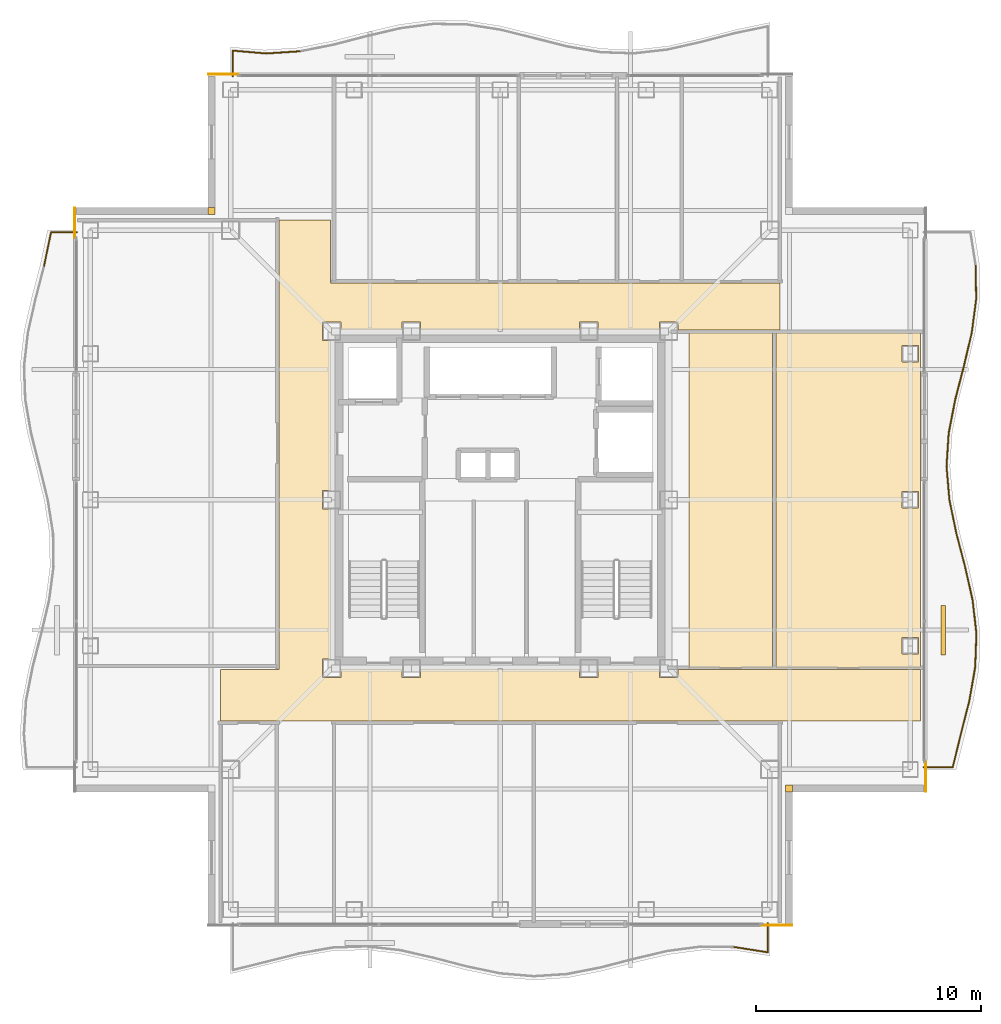
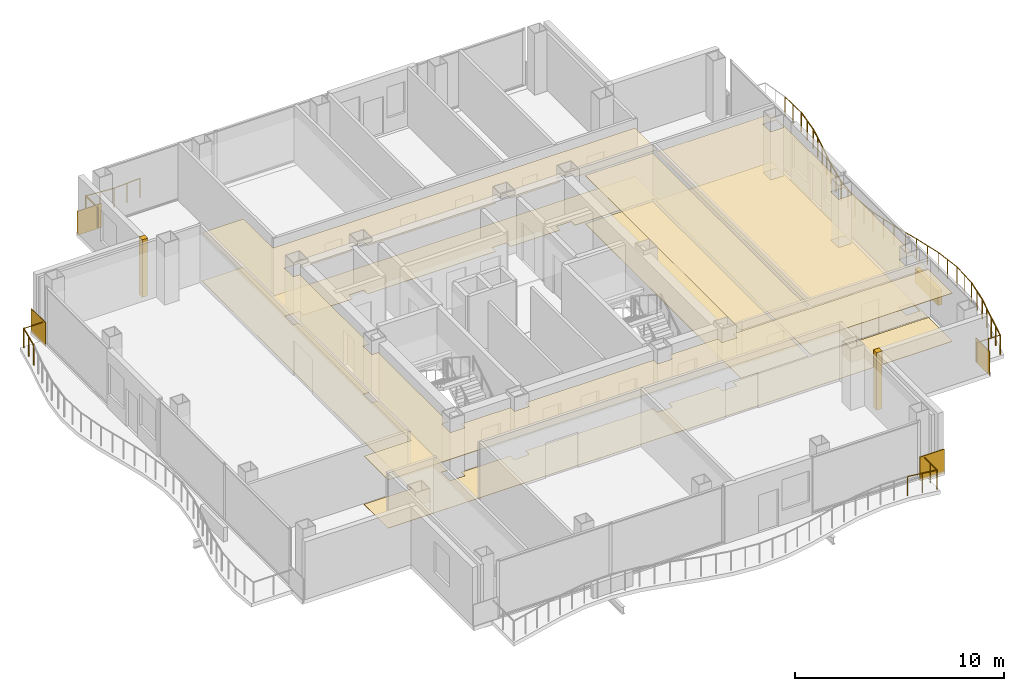
# One storey, part 16 of 17: 23 railings, 12 coverings, 1 shading device.
"""IFC4 building model written with IfcOpenShell, lengths in metres."""

from ifc_helpers import new_model, si_unit, direction, frame, frame_2d, origin, origin_2d, place, context, subcontext, project, spatial, polyline, rectangle, circle, outline, extrude, material, layer, layer_set, type_object, element, save


model = new_model("IFC4")

# Units and contexts
model_context = context("Model", 3, precision=1e-05, world=origin(), true_north=direction((0.0, 1.0)))
body_context = subcontext(model_context, "Body", "Model", "MODEL_VIEW")
ifc_project = project(units=[si_unit("LENGTHUNIT", "METRE"), si_unit("AREAUNIT", "SQUARE_METRE"), si_unit("VOLUMEUNIT", "CUBIC_METRE"), si_unit("PLANEANGLEUNIT", "RADIAN"), si_unit("MASSUNIT", "GRAM", prefix="KILO")], contexts=[model_context])

# Site, building, storey
site_placement = place(None, origin())
site = spatial("IfcSite", under=ifc_project, at=site_placement, CompositionType="ELEMENT")
building_placement = place(site_placement, origin())
building = spatial("IfcBuilding", under=site, at=building_placement, Name="Trevonay Congress Spire", CompositionType="ELEMENT")
storey_placement = place(building_placement, frame((0.0, 0.0, 264.800048828125)))
storey = spatial("IfcBuildingStorey", under=building, at=storey_placement, Name="L69", CompositionType="ELEMENT", Elevation=264.800048828125)

# Coverings
ifc_material_1 = material(Name="Acoustic Mineral Fibre Board", Category="gypsum")
ifc_layer_1 = layer(ifc_material_1, 0.02490234375, Name="Acoustic Mineral Fibre Board")
ifc_layer_set_1 = layer_set([ifc_layer_1], Name="Acoustic Mineral Fibre Board")
covering_type_1 = type_object("IfcCoveringType", Name="COV-CEIL-ACOUSTIC", PredefinedType="CEILING", material=ifc_layer_set_1)
covering_1_placement = place(storey_placement, frame((0.0, 0.0, 2.81005859375)))
element("IfcCovering", 1, at=covering_1_placement, inside=storey, type_object=covering_type_1, Name="L69 Cruciform Boulevard Corridor acoustic suspended ceiling", PredefinedType="CEILING", context=body_context, shape_type="SweptSolid", body=[
    extrude(outline(polyline([(18.699951171875, -7.550048828125), (18.699951171875, -9.85009765625), (-12.449951171875, -9.85009765625), (-12.449951171875, -7.550048828125), (-9.85009765625, -7.550048828125), (-9.85009765625, 12.449951171875), (-7.550048828125, 12.449951171875), (-7.550048828125, 9.64990234375), (12.449951171875, 9.64990234375), (12.449951171875, 7.550048828125), (7.909912109375, 7.550048828125), (7.909912109375, 7.909912109375), (7.090087890625, 7.909912109375), (7.090087890625, 7.550048828125), (4.360107421875, 7.550048828125), (4.360107421875, 7.909912109375), (3.5400390625, 7.909912109375), (3.5400390625, 7.550048828125), (-3.5400390625, 7.550048828125), (-3.5400390625, 7.909912109375), (-4.360107421875, 7.909912109375), (-4.360107421875, 7.550048828125), (-7.090087890625, 7.550048828125), (-7.090087890625, 7.909912109375), (-7.909912109375, 7.909912109375), (-7.909912109375, 7.090087890625), (-7.550048828125, 7.090087890625), (-7.550048828125, 0.409912109375), (-7.909912109375, 0.409912109375), (-7.909912109375, -0.409912109375), (-7.550048828125, -0.409912109375), (-7.550048828125, -7.090087890625), (-7.909912109375, -7.090087890625), (-7.909912109375, -7.909912109375), (-7.090087890625, -7.909912109375), (-7.090087890625, -7.550048828125), (-4.360107421875, -7.550048828125), (-4.360107421875, -7.909912109375), (-3.5400390625, -7.909912109375), (-3.5400390625, -7.550048828125), (3.5400390625, -7.550048828125), (3.5400390625, -7.909912109375), (4.360107421875, -7.909912109375), (4.360107421875, -7.550048828125), (7.090087890625, -7.550048828125), (7.090087890625, -7.909912109375), (7.909912109375, -7.909912109375), (7.909912109375, -7.550048828125), (18.699951171875, -7.550048828125)])), origin(), (0.0, 0.0, 1.0), 0.02490234375),
])
covering_2_placement = place(storey_placement, frame((0.0, 0.0, 2.81005859375)))
element("IfcCovering", 2, at=covering_2_placement, inside=storey, type_object=covering_type_1, Name="L69 Executive Study Office acoustic suspended ceiling", PredefinedType="CEILING", context=body_context, shape_type="SweptSolid", body=[
    extrude(outline(polyline([(8.39990234375, -7.47998046875), (12.1201171875, -7.47998046875), (12.1201171875, 7.419921875), (8.39990234375, 7.419921875), (8.39990234375, -7.47998046875)])), origin(), (0.0, 0.0, 1.0), 0.02490234375),
])
covering_3_placement = place(storey_placement, frame((0.0, 0.0, 2.81005859375)))
element("IfcCovering", 3, at=covering_3_placement, inside=storey, type_object=covering_type_1, Name="L69 Catering Pantry acoustic suspended ceiling", PredefinedType="CEILING", context=body_context, shape_type="SweptSolid", body=[
    extrude(outline(polyline([(12.280029296875, 7.419921875), (18.699951171875, 7.419921875), (18.699951171875, -7.47998046875), (12.280029296875, -7.47998046875), (12.280029296875, 7.419921875)]), holes=[polyline([(17.889892578125, -6.860107421875), (18.610107421875, -6.860107421875), (18.610107421875, -6.139892578125), (17.889892578125, -6.139892578125), (17.889892578125, -6.860107421875)]), polyline([(17.889892578125, 0.360107421875), (17.889892578125, -0.360107421875), (18.610107421875, -0.360107421875), (18.610107421875, 0.360107421875), (17.889892578125, 0.360107421875)]), polyline([(17.889892578125, 6.860107421875), (17.889892578125, 6.139892578125), (18.610107421875, 6.139892578125), (18.610107421875, 6.860107421875), (17.889892578125, 6.860107421875)])]), origin(), (0.0, 0.0, 1.0), 0.02490234375),
])
ifc_material_2 = material(Name="Polished Granite Floor Tile", Category="masonry")
ifc_layer_2 = layer(ifc_material_2, 0.02001953125, Name="Polished Granite Floor Tile")
ifc_layer_set_2 = layer_set([ifc_layer_2], Name="Polished Granite Floor Tile")
covering_type_2 = type_object("IfcCoveringType", Name="COV-FLOOR-STONE", PredefinedType="FLOORING", material=ifc_layer_set_2)
covering_4_placement = place(storey_placement, origin())
element("IfcCovering", 4, at=covering_4_placement, inside=storey, type_object=covering_type_2, Name="L69 Cruciform Boulevard Corridor floor finish", PredefinedType="FLOORING", context=body_context, shape_type="SweptSolid", body=[
    extrude(outline(polyline([(18.699951171875, -7.550048828125), (18.699951171875, -9.85009765625), (-12.449951171875, -9.85009765625), (-12.449951171875, -7.550048828125), (-9.85009765625, -7.550048828125), (-9.85009765625, 12.449951171875), (-7.550048828125, 12.449951171875), (-7.550048828125, 9.64990234375), (12.449951171875, 9.64990234375), (12.449951171875, 7.550048828125), (7.909912109375, 7.550048828125), (7.909912109375, 7.909912109375), (7.090087890625, 7.909912109375), (7.090087890625, 7.550048828125), (4.360107421875, 7.550048828125), (4.360107421875, 7.909912109375), (3.5400390625, 7.909912109375), (3.5400390625, 7.550048828125), (-3.5400390625, 7.550048828125), (-3.5400390625, 7.909912109375), (-4.360107421875, 7.909912109375), (-4.360107421875, 7.550048828125), (-7.090087890625, 7.550048828125), (-7.090087890625, 7.909912109375), (-7.909912109375, 7.909912109375), (-7.909912109375, 7.090087890625), (-7.550048828125, 7.090087890625), (-7.550048828125, 0.409912109375), (-7.909912109375, 0.409912109375), (-7.909912109375, -0.409912109375), (-7.550048828125, -0.409912109375), (-7.550048828125, -7.090087890625), (-7.909912109375, -7.090087890625), (-7.909912109375, -7.909912109375), (-7.090087890625, -7.909912109375), (-7.090087890625, -7.550048828125), (-4.360107421875, -7.550048828125), (-4.360107421875, -7.909912109375), (-3.5400390625, -7.909912109375), (-3.5400390625, -7.550048828125), (3.5400390625, -7.550048828125), (3.5400390625, -7.909912109375), (4.360107421875, -7.909912109375), (4.360107421875, -7.550048828125), (7.090087890625, -7.550048828125), (7.090087890625, -7.909912109375), (7.909912109375, -7.909912109375), (7.909912109375, -7.550048828125), (18.699951171875, -7.550048828125)])), origin(), (0.0, 0.0, 1.0), 0.02001953125),
])
covering_5_placement = place(storey_placement, origin())
element("IfcCovering", 5, at=covering_5_placement, inside=storey, type_object=covering_type_2, Name="L69 Catering Pantry floor finish", PredefinedType="FLOORING", context=body_context, shape_type="SweptSolid", body=[
    extrude(outline(polyline([(12.280029296875, 7.419921875), (18.699951171875, 7.419921875), (18.699951171875, -7.47998046875), (12.280029296875, -7.47998046875), (12.280029296875, 7.419921875)]), holes=[polyline([(17.889892578125, -6.860107421875), (18.610107421875, -6.860107421875), (18.610107421875, -6.139892578125), (17.889892578125, -6.139892578125), (17.889892578125, -6.860107421875)]), polyline([(17.889892578125, 0.360107421875), (17.889892578125, -0.360107421875), (18.610107421875, -0.360107421875), (18.610107421875, 0.360107421875), (17.889892578125, 0.360107421875)]), polyline([(17.889892578125, 6.860107421875), (17.889892578125, 6.139892578125), (18.610107421875, 6.139892578125), (18.610107421875, 6.860107421875), (17.889892578125, 6.860107421875)])]), origin(), (0.0, 0.0, 1.0), 0.02001953125),
])
ifc_material_3 = material(Name="Engineered Oak Flooring", Category="wood")
ifc_layer_3 = layer(ifc_material_3, 0.01806640625, Name="Engineered Oak Flooring")
ifc_layer_set_3 = layer_set([ifc_layer_3], Name="Engineered Oak Flooring")
covering_type_3 = type_object("IfcCoveringType", Name="COV-FLOOR-TIMBER", PredefinedType="FLOORING", material=ifc_layer_set_3)
covering_6_placement = place(storey_placement, origin())
element("IfcCovering", 6, at=covering_6_placement, inside=storey, type_object=covering_type_3, Name="L69 Executive Study Office floor finish", PredefinedType="FLOORING", context=body_context, shape_type="SweptSolid", body=[
    extrude(outline(polyline([(8.39990234375, -7.47998046875), (12.1201171875, -7.47998046875), (12.1201171875, 7.419921875), (8.39990234375, 7.419921875), (8.39990234375, -7.47998046875)])), origin(), (0.0, 0.0, 1.0), 0.01806640625),
])
ifc_material_4 = material(Name="Pale Anodised Aluminium EN AW-6063-T6", Category="aluminium")
ifc_layer_4 = layer(ifc_material_4, 0.0400390625, Name="Pale Anodised Aluminium EN AW-6063-T6")
ifc_layer_set_4 = layer_set([ifc_layer_4], Name="Pale Anodised Aluminium EN AW-6063-T6")
covering_type_4 = type_object("IfcCoveringType", Name="COV-SPANDREL-PALE-METAL", PredefinedType="CLADDING", material=ifc_layer_set_4)
covering_7_placement = place(storey_placement, origin())
element("IfcCovering", 7, at=covering_7_placement, inside=storey, type_object=covering_type_4, Name="L69 SE re-entrant notch corner closure trim", PredefinedType="CLADDING", context=body_context, shape_type="SweptSolid", body=[
    extrude(outline(polyline([(12.699951171875, -13.0), (13.0, -13.0), (13.0, -12.699951171875), (12.699951171875, -12.699951171875), (12.699951171875, -13.0)])), origin(), (0.0, 0.0, 1.0), 3.35986328125),
])
for number, where, z_axis, x_axis, name in (
    (8, (18.93994140625, -11.64990234375, -0.150146484375), (0.0, 0.0, 1.0), (0.0, -1.0, 0.0), "L69 SE corner pier spandrel cladding 1"),
    (9, (11.64990234375, -18.93994140625, -0.150146484375), (0.0, 0.0, 1.0), (1.0, 0.0, 0.0), "L69 SE corner pier spandrel cladding 2"),
):
    element("IfcCovering", number, at=place(storey_placement, frame(where, z_axis=z_axis, x_axis=x_axis)), inside=storey, type_object=covering_type_4, Name=name, PredefinedType="CLADDING", context=body_context, shape_type="SweptSolid", body=[
        extrude(rectangle(XDim=1.35009765625, YDim=0.0400390625, at=frame_2d((0.675048828125, 0.0))), origin(), (0.0, 0.0, 1.0), 1.400146484375),
    ])
covering_8_placement = place(storey_placement, origin())
element("IfcCovering", 10, at=covering_8_placement, inside=storey, type_object=covering_type_4, Name="L69 NW re-entrant notch corner closure trim", PredefinedType="CLADDING", context=body_context, shape_type="SweptSolid", body=[
    extrude(outline(polyline([(-13.0, 12.699951171875), (-12.699951171875, 12.699951171875), (-12.699951171875, 13.0), (-13.0, 13.0), (-13.0, 12.699951171875)])), origin(), (0.0, 0.0, 1.0), 3.35986328125),
])
for number, where, z_axis, x_axis, name in (
    (11, (-18.93994140625, 11.64990234375, -0.150146484375), (0.0, 0.0, 1.0), (0.0, 1.0, 0.0), "L69 NW corner pier spandrel cladding 1"),
    (12, (-11.64990234375, 18.93994140625, -0.150146484375), (0.0, 0.0, 1.0), (-1.0, 0.0, 0.0), "L69 NW corner pier spandrel cladding 2"),
):
    element("IfcCovering", number, at=place(storey_placement, frame(where, z_axis=z_axis, x_axis=x_axis)), inside=storey, type_object=covering_type_4, Name=name, PredefinedType="CLADDING", context=body_context, shape_type="SweptSolid", body=[
        extrude(rectangle(XDim=1.35009765625, YDim=0.0400390625, at=frame_2d((0.675048828125, 0.0))), origin(), (0.0, 0.0, 1.0), 1.400146484375),
    ])

# Railings
railing_type = type_object("IfcRailingType", Name="RAL-EXT-GUARD-115", PredefinedType="GUARDRAIL", material=ifc_material_4)
railing_1_placement = place(storey_placement, frame((10.416015625, -19.906005859375, 0.0)))
element("IfcRailing", 13, at=railing_1_placement, inside=storey, type_object=railing_type, Name="L69 perimeter safety guard GRD-L69-WAV-S-16", PredefinedType="GUARDRAIL", context=body_context, shape_type="SweptSolid", body=[
    extrude(circle(Radius=0.02392578125, at=origin_2d()), frame((0.0, 0.0, 1.1259765625), z_axis=(0.987747192417, -0.156062435816, 0.0), x_axis=(0.156062435816, 0.987747192417, 0.0)), (0.0, 0.0, 1.0), 1.506591796875),
    extrude(circle(Radius=0.02099609375, at=origin_2d()), origin(), (0.0, 0.0, 1.0), 1.101806640625),
    extrude(circle(Radius=0.02099609375, at=origin_2d()), frame((0.744140625, -0.11767578125, 0.0)), (0.0, 0.0, 1.0), 1.101806640625),
    extrude(circle(Radius=0.02099609375, at=origin_2d()), frame((1.488037109375, -0.235107421875, 0.0)), (0.0, 0.0, 1.0), 1.101806640625),
])
railing_2_placement = place(storey_placement, frame((11.904052734375, -20.14111328125, 0.0)))
element("IfcRailing", 14, at=railing_2_placement, inside=storey, type_object=railing_type, Name="L69 perimeter safety guard GRD-L69-WAV-S-17", PredefinedType="GUARDRAIL", context=body_context, shape_type="SweptSolid", body=[
    extrude(circle(Radius=0.02392578125, at=origin_2d()), frame((0.0, 0.0, 1.1259765625), z_axis=(0.0, 1.0, 0.0), x_axis=(-1.0, 0.0, 0.0)), (0.0, 0.0, 1.0), 1.293212890625),
    extrude(circle(Radius=0.02099609375, at=origin_2d()), origin(), (0.0, 0.0, 1.0), 1.101806640625),
    extrude(circle(Radius=0.02099609375, at=origin_2d()), frame((0.0, 0.646484375, 0.0)), (0.0, 0.0, 1.0), 1.101806640625),
    extrude(circle(Radius=0.02099609375, at=origin_2d()), frame((0.0, 1.293212890625, 0.0)), (0.0, 0.0, 1.0), 1.101806640625),
])
railing_3_placement = place(storey_placement, frame((-8.927978515625, 19.962890625, 0.0)))
element("IfcRailing", 15, at=railing_3_placement, inside=storey, type_object=railing_type, Name="L69 perimeter safety guard GRD-L69-WAV-N-32", PredefinedType="GUARDRAIL", context=body_context, shape_type="SweptSolid", body=[
    extrude(circle(Radius=0.02392578125, at=origin_2d()), frame((0.0, 0.0, 1.1259765625), z_axis=(-0.997885418785, -0.064997622848, 0.0), x_axis=(0.064997622848, -0.997885418785, 0.0)), (0.0, 0.0, 1.0), 1.4912109375),
    extrude(circle(Radius=0.02099609375, at=origin_2d()), origin(), (0.0, 0.0, 1.0), 1.101806640625),
    extrude(circle(Radius=0.02099609375, at=origin_2d()), frame((-0.744140625, -0.04833984375, 0.0)), (0.0, 0.0, 1.0), 1.101806640625),
    extrude(circle(Radius=0.02099609375, at=origin_2d()), frame((-1.488037109375, -0.096923828125, 0.0)), (0.0, 0.0, 1.0), 1.101806640625),
])
railing_4_placement = place(storey_placement, frame((-10.416015625, 19.865966796875, 0.0)))
element("IfcRailing", 16, at=railing_4_placement, inside=storey, type_object=railing_type, Name="L69 perimeter safety guard GRD-L69-WAV-N-33", PredefinedType="GUARDRAIL", context=body_context, shape_type="SweptSolid", body=[
    extrude(circle(Radius=0.02392578125, at=origin_2d()), frame((0.0, 0.0, 1.1259765625), z_axis=(-0.996380352402, 0.085007019401, 0.0), x_axis=(-0.085007019401, -0.996380352402, 0.0)), (0.0, 0.0, 1.0), 1.493408203125),
    extrude(circle(Radius=0.02099609375, at=origin_2d()), origin(), (0.0, 0.0, 1.0), 1.101806640625),
    extrude(circle(Radius=0.02099609375, at=origin_2d()), frame((-0.744140625, 0.0634765625, 0.0)), (0.0, 0.0, 1.0), 1.101806640625),
    extrude(circle(Radius=0.02099609375, at=origin_2d()), frame((-1.488037109375, 0.126953125, 0.0)), (0.0, 0.0, 1.0), 1.101806640625),
])
railing_5_placement = place(storey_placement, frame((-11.904052734375, 19.992919921875, 0.0)))
element("IfcRailing", 17, at=railing_5_placement, inside=storey, type_object=railing_type, Name="L69 perimeter safety guard GRD-L69-WAV-N-34", PredefinedType="GUARDRAIL", context=body_context, shape_type="SweptSolid", body=[
    extrude(circle(Radius=0.02392578125, at=origin_2d()), frame((0.0, 0.0, 1.1259765625), z_axis=(0.0, -1.0, 0.0), x_axis=(1.0, 0.0, 0.0)), (0.0, 0.0, 1.0), 1.14501953125),
    extrude(circle(Radius=0.02099609375, at=origin_2d()), origin(), (0.0, 0.0, 1.0), 1.101806640625),
    extrude(circle(Radius=0.02099609375, at=origin_2d()), frame((0.0, -1.14501953125, 0.0)), (0.0, 0.0, 1.0), 1.101806640625),
])
railing_6_placement = place(storey_placement, frame((20.14111328125, -11.904052734375, 0.0)))
element("IfcRailing", 18, at=railing_6_placement, inside=storey, type_object=railing_type, Name="L69 perimeter safety guard GRD-L69-WAV-E-1", PredefinedType="GUARDRAIL", context=body_context, shape_type="SweptSolid", body=[
    extrude(circle(Radius=0.02392578125, at=origin_2d()), frame((0.0, 0.0, 1.1259765625), z_axis=(0.23942340119, 0.970915256324, 0.0), x_axis=(-0.970915256324, 0.23942340119, 0.0)), (0.0, 0.0, 1.0), 1.53271484375),
    extrude(circle(Radius=0.02099609375, at=origin_2d()), origin(), (0.0, 0.0, 1.0), 1.101806640625),
    extrude(circle(Radius=0.02099609375, at=origin_2d()), frame((0.18359375, 0.744140625, 0.0)), (0.0, 0.0, 1.0), 1.101806640625),
    extrude(circle(Radius=0.02099609375, at=origin_2d()), frame((0.366943359375, 1.488037109375, 0.0)), (0.0, 0.0, 1.0), 1.101806640625),
])
railing_7_placement = place(storey_placement, frame((20.508056640625, -10.416015625, 0.0)))
element("IfcRailing", 19, at=railing_7_placement, inside=storey, type_object=railing_type, Name="L69 perimeter safety guard GRD-L69-WAV-E-2", PredefinedType="GUARDRAIL", context=body_context, shape_type="SweptSolid", body=[
    extrude(circle(Radius=0.02392578125, at=origin_2d()), frame((0.0, 0.0, 1.1259765625), z_axis=(0.245565653889, 0.969379961434, 0.0), x_axis=(-0.969379961434, 0.245565653889, 0.0)), (0.0, 0.0, 1.0), 1.53515625),
    extrude(circle(Radius=0.02099609375, at=origin_2d()), origin(), (0.0, 0.0, 1.0), 1.101806640625),
    extrude(circle(Radius=0.02099609375, at=origin_2d()), frame((0.1884765625, 0.744140625, 0.0)), (0.0, 0.0, 1.0), 1.101806640625),
    extrude(circle(Radius=0.02099609375, at=origin_2d()), frame((0.376953125, 1.488037109375, 0.0)), (0.0, 0.0, 1.0), 1.101806640625),
])
railing_8_placement = place(storey_placement, frame((20.885009765625, -8.927978515625, 0.0)))
element("IfcRailing", 20, at=railing_8_placement, inside=storey, type_object=railing_type, Name="L69 perimeter safety guard GRD-L69-WAV-E-3", PredefinedType="GUARDRAIL", context=body_context, shape_type="SweptSolid", body=[
    extrude(circle(Radius=0.02392578125, at=origin_2d()), frame((0.0, 0.0, 1.1259765625), z_axis=(0.170242575938, 0.985402184561, 0.0), x_axis=(-0.985402184561, 0.170242575938, 0.0)), (0.0, 0.0, 1.0), 1.510009765625),
    extrude(circle(Radius=0.02099609375, at=origin_2d()), origin(), (0.0, 0.0, 1.0), 1.101806640625),
    extrude(circle(Radius=0.02099609375, at=origin_2d()), frame((0.12841796875, 0.744140625, 0.0)), (0.0, 0.0, 1.0), 1.101806640625),
    extrude(circle(Radius=0.02099609375, at=origin_2d()), frame((0.257080078125, 1.488037109375, 0.0)), (0.0, 0.0, 1.0), 1.101806640625),
])
railing_9_placement = place(storey_placement, frame((21.14208984375, -7.43994140625, 0.0)))
element("IfcRailing", 21, at=railing_9_placement, inside=storey, type_object=railing_type, Name="L69 perimeter safety guard GRD-L69-WAV-E-4", PredefinedType="GUARDRAIL", context=body_context, shape_type="SweptSolid", body=[
    extrude(circle(Radius=0.02392578125, at=origin_2d()), frame((0.0, 0.0, 1.1259765625), z_axis=(0.036235416775, 0.999343281646, 0.0), x_axis=(-0.999343281646, 0.036235416775, 0.0)), (0.0, 0.0, 1.0), 1.489013671875),
    extrude(circle(Radius=0.02099609375, at=origin_2d()), origin(), (0.0, 0.0, 1.0), 1.101806640625),
    extrude(circle(Radius=0.02099609375, at=origin_2d()), frame((0.02685546875, 0.744140625, 0.0)), (0.0, 0.0, 1.0), 1.101806640625),
    extrude(circle(Radius=0.02099609375, at=origin_2d()), frame((0.053955078125, 1.488037109375, 0.0)), (0.0, 0.0, 1.0), 1.101806640625),
])
railing_10_placement = place(storey_placement, frame((21.196044921875, -5.951904296875, 0.0)))
element("IfcRailing", 22, at=railing_10_placement, inside=storey, type_object=railing_type, Name="L69 perimeter safety guard GRD-L69-WAV-E-5", PredefinedType="GUARDRAIL", context=body_context, shape_type="SweptSolid", body=[
    extrude(circle(Radius=0.02392578125, at=origin_2d()), frame((0.0, 0.0, 1.1259765625), z_axis=(-0.113633953252, 0.993522684526, 0.0), x_axis=(-0.993522684526, -0.113633953252, 0.0)), (0.0, 0.0, 1.0), 1.49755859375),
    extrude(circle(Radius=0.02099609375, at=origin_2d()), origin(), (0.0, 0.0, 1.0), 1.101806640625),
    extrude(circle(Radius=0.02099609375, at=origin_2d()), frame((-0.0849609375, 0.743896484375, 0.0)), (0.0, 0.0, 1.0), 1.101806640625),
    extrude(circle(Radius=0.02099609375, at=origin_2d()), frame((-0.170166015625, 1.48779296875, 0.0)), (0.0, 0.0, 1.0), 1.101806640625),
])
railing_11_placement = place(storey_placement, frame((21.02587890625, -4.464111328125, 0.0)))
element("IfcRailing", 23, at=railing_11_placement, inside=storey, type_object=railing_type, Name="L69 perimeter safety guard GRD-L69-WAV-E-6", PredefinedType="GUARDRAIL", context=body_context, shape_type="SweptSolid", body=[
    extrude(circle(Radius=0.02392578125, at=origin_2d()), frame((0.0, 0.0, 1.1259765625), z_axis=(-0.219607413418, 0.975588327099, 0.0), x_axis=(-0.975588327099, -0.219607413418, 0.0)), (0.0, 0.0, 1.0), 1.525390625),
    extrude(circle(Radius=0.02099609375, at=origin_2d()), origin(), (0.0, 0.0, 1.0), 1.101806640625),
    extrude(circle(Radius=0.02099609375, at=origin_2d()), frame((-0.16748046875, 0.744140625, 0.0)), (0.0, 0.0, 1.0), 1.101806640625),
    extrude(circle(Radius=0.02099609375, at=origin_2d()), frame((-0.3349609375, 1.488037109375, 0.0)), (0.0, 0.0, 1.0), 1.101806640625),
])
railing_12_placement = place(storey_placement, frame((20.69091796875, -2.97607421875, 0.0)))
element("IfcRailing", 24, at=railing_12_placement, inside=storey, type_object=railing_type, Name="L69 perimeter safety guard GRD-L69-WAV-E-7", PredefinedType="GUARDRAIL", context=body_context, shape_type="SweptSolid", body=[
    extrude(circle(Radius=0.02392578125, at=origin_2d()), frame((0.0, 0.0, 1.1259765625), z_axis=(-0.252867738167, 0.967500856327, 0.0), x_axis=(-0.967500856327, -0.252867738167, 0.0)), (0.0, 0.0, 1.0), 1.5380859375),
    extrude(circle(Radius=0.02099609375, at=origin_2d()), origin(), (0.0, 0.0, 1.0), 1.101806640625),
    extrude(circle(Radius=0.02099609375, at=origin_2d()), frame((-0.1943359375, 0.744140625, 0.0)), (0.0, 0.0, 1.0), 1.101806640625),
    extrude(circle(Radius=0.02099609375, at=origin_2d()), frame((-0.388916015625, 1.488037109375, 0.0)), (0.0, 0.0, 1.0), 1.101806640625),
])
railing_13_placement = place(storey_placement, frame((20.302001953125, -1.488037109375, 0.0)))
element("IfcRailing", 25, at=railing_13_placement, inside=storey, type_object=railing_type, Name="L69 perimeter safety guard GRD-L69-WAV-E-8", PredefinedType="GUARDRAIL", context=body_context, shape_type="SweptSolid", body=[
    extrude(circle(Radius=0.02392578125, at=origin_2d()), frame((0.0, 0.0, 1.1259765625), z_axis=(-0.203370460547, 0.979101861798, 0.0), x_axis=(-0.979101861798, -0.203370460547, 0.0)), (0.0, 0.0, 1.0), 1.519775390625),
    extrude(circle(Radius=0.02099609375, at=origin_2d()), origin(), (0.0, 0.0, 1.0), 1.101806640625),
    extrude(circle(Radius=0.02099609375, at=origin_2d()), frame((-0.154541015625, 0.744140625, 0.0)), (0.0, 0.0, 1.0), 1.101806640625),
    extrude(circle(Radius=0.02099609375, at=origin_2d()), frame((-0.30908203125, 1.488037109375, 0.0)), (0.0, 0.0, 1.0), 1.101806640625),
])
railing_14_placement = place(storey_placement, frame((19.992919921875, 0.0, 0.0)))
element("IfcRailing", 26, at=railing_14_placement, inside=storey, type_object=railing_type, Name="L69 perimeter safety guard GRD-L69-WAV-E-9", PredefinedType="GUARDRAIL", context=body_context, shape_type="SweptSolid", body=[
    extrude(circle(Radius=0.02392578125, at=origin_2d()), frame((0.0, 0.0, 1.1259765625), z_axis=(-0.085007019401, 0.996380352402, 0.0), x_axis=(-0.996380352402, -0.085007019401, 0.0)), (0.0, 0.0, 1.0), 1.493408203125),
    extrude(circle(Radius=0.02099609375, at=origin_2d()), origin(), (0.0, 0.0, 1.0), 1.101806640625),
    extrude(circle(Radius=0.02099609375, at=origin_2d()), frame((-0.0634765625, 0.744140625, 0.0)), (0.0, 0.0, 1.0), 1.101806640625),
    extrude(circle(Radius=0.02099609375, at=origin_2d()), frame((-0.126953125, 1.488037109375, 0.0)), (0.0, 0.0, 1.0), 1.101806640625),
])
railing_15_placement = place(storey_placement, frame((19.865966796875, 1.488037109375, 0.0)))
element("IfcRailing", 27, at=railing_15_placement, inside=storey, type_object=railing_type, Name="L69 perimeter safety guard GRD-L69-WAV-E-10", PredefinedType="GUARDRAIL", context=body_context, shape_type="SweptSolid", body=[
    extrude(circle(Radius=0.02392578125, at=origin_2d()), frame((0.0, 0.0, 1.1259765625), z_axis=(0.064997622848, 0.997885418785, 0.0), x_axis=(-0.997885418785, 0.064997622848, 0.0)), (0.0, 0.0, 1.0), 1.4912109375),
    extrude(circle(Radius=0.02099609375, at=origin_2d()), origin(), (0.0, 0.0, 1.0), 1.101806640625),
    extrude(circle(Radius=0.02099609375, at=origin_2d()), frame((0.04833984375, 0.744140625, 0.0)), (0.0, 0.0, 1.0), 1.101806640625),
    extrude(circle(Radius=0.02099609375, at=origin_2d()), frame((0.096923828125, 1.488037109375, 0.0)), (0.0, 0.0, 1.0), 1.101806640625),
])
railing_16_placement = place(storey_placement, frame((19.962890625, 2.97607421875, 0.0)))
element("IfcRailing", 28, at=railing_16_placement, inside=storey, type_object=railing_type, Name="L69 perimeter safety guard GRD-L69-WAV-E-11", PredefinedType="GUARDRAIL", context=body_context, shape_type="SweptSolid", body=[
    extrude(circle(Radius=0.02392578125, at=origin_2d()), frame((0.0, 0.0, 1.1259765625), z_axis=(0.191934064783, 0.981407822863, 0.0), x_axis=(-0.981407822863, 0.191934064783, 0.0)), (0.0, 0.0, 1.0), 1.51611328125),
    extrude(circle(Radius=0.02099609375, at=origin_2d()), origin(), (0.0, 0.0, 1.0), 1.101806640625),
    extrude(circle(Radius=0.02099609375, at=origin_2d()), frame((0.1455078125, 0.744140625, 0.0)), (0.0, 0.0, 1.0), 1.101806640625),
    extrude(circle(Radius=0.02099609375, at=origin_2d()), frame((0.291015625, 1.488037109375, 0.0)), (0.0, 0.0, 1.0), 1.101806640625),
])
railing_17_placement = place(storey_placement, frame((20.25390625, 4.464111328125, 0.0)))
element("IfcRailing", 29, at=railing_17_placement, inside=storey, type_object=railing_type, Name="L69 perimeter safety guard GRD-L69-WAV-E-12", PredefinedType="GUARDRAIL", context=body_context, shape_type="SweptSolid", body=[
    extrude(circle(Radius=0.02392578125, at=origin_2d()), frame((0.0, 0.0, 1.1259765625), z_axis=(0.251122013621, 0.967955440232, 0.0), x_axis=(-0.967955440232, 0.251122013621, 0.0)), (0.0, 0.0, 1.0), 1.537109375),
    extrude(circle(Radius=0.02099609375, at=origin_2d()), origin(), (0.0, 0.0, 1.0), 1.101806640625),
    extrude(circle(Radius=0.02099609375, at=origin_2d()), frame((0.19287109375, 0.743896484375, 0.0)), (0.0, 0.0, 1.0), 1.101806640625),
    extrude(circle(Radius=0.02099609375, at=origin_2d()), frame((0.385986328125, 1.48779296875, 0.0)), (0.0, 0.0, 1.0), 1.101806640625),
])
railing_18_placement = place(storey_placement, frame((20.639892578125, 5.951904296875, 0.0)))
element("IfcRailing", 30, at=railing_18_placement, inside=storey, type_object=railing_type, Name="L69 perimeter safety guard GRD-L69-WAV-E-13", PredefinedType="GUARDRAIL", context=body_context, shape_type="SweptSolid", body=[
    extrude(circle(Radius=0.02392578125, at=origin_2d()), frame((0.0, 0.0, 1.1259765625), z_axis=(0.228416072005, 0.973563607603, 0.0), x_axis=(-0.973563607603, 0.228416072005, 0.0)), (0.0, 0.0, 1.0), 1.528564453125),
    extrude(circle(Radius=0.02099609375, at=origin_2d()), origin(), (0.0, 0.0, 1.0), 1.101806640625),
    extrude(circle(Radius=0.02099609375, at=origin_2d()), frame((0.174560546875, 0.744140625, 0.0)), (0.0, 0.0, 1.0), 1.101806640625),
    extrude(circle(Radius=0.02099609375, at=origin_2d()), frame((0.34912109375, 1.488037109375, 0.0)), (0.0, 0.0, 1.0), 1.101806640625),
])
railing_19_placement = place(storey_placement, frame((20.989013671875, 7.43994140625, 0.0)))
element("IfcRailing", 31, at=railing_19_placement, inside=storey, type_object=railing_type, Name="L69 perimeter safety guard GRD-L69-WAV-E-14", PredefinedType="GUARDRAIL", context=body_context, shape_type="SweptSolid", body=[
    extrude(circle(Radius=0.02392578125, at=origin_2d()), frame((0.0, 0.0, 1.1259765625), z_axis=(0.130618613562, 0.991432689491, 0.0), x_axis=(-0.991432689491, 0.130618613562, 0.0)), (0.0, 0.0, 1.0), 1.5009765625),
    extrude(circle(Radius=0.02099609375, at=origin_2d()), origin(), (0.0, 0.0, 1.0), 1.101806640625),
    extrude(circle(Radius=0.02099609375, at=origin_2d()), frame((0.09814453125, 0.744140625, 0.0)), (0.0, 0.0, 1.0), 1.101806640625),
    extrude(circle(Radius=0.02099609375, at=origin_2d()), frame((0.196044921875, 1.488037109375, 0.0)), (0.0, 0.0, 1.0), 1.101806640625),
])
railing_20_placement = place(storey_placement, frame((21.18505859375, 8.927978515625, 0.0)))
element("IfcRailing", 32, at=railing_20_placement, inside=storey, type_object=railing_type, Name="L69 perimeter safety guard GRD-L69-WAV-E-15", PredefinedType="GUARDRAIL", context=body_context, shape_type="SweptSolid", body=[
    extrude(circle(Radius=0.02392578125, at=origin_2d()), frame((0.0, 0.0, 1.1259765625), z_axis=(-0.015420643628, 0.999881094806, 0.0), x_axis=(-0.999881094806, -0.015420643628, 0.0)), (0.0, 0.0, 1.0), 1.48828125),
    extrude(circle(Radius=0.02099609375, at=origin_2d()), origin(), (0.0, 0.0, 1.0), 1.101806640625),
    extrude(circle(Radius=0.02099609375, at=origin_2d()), frame((-0.011474609375, 0.744140625, 0.0)), (0.0, 0.0, 1.0), 1.101806640625),
    extrude(circle(Radius=0.02099609375, at=origin_2d()), frame((-0.02294921875, 1.488037109375, 0.0)), (0.0, 0.0, 1.0), 1.101806640625),
])
railing_21_placement = place(storey_placement, frame((18.847900390625, -11.904052734375, 0.0)))
element("IfcRailing", 33, at=railing_21_placement, inside=storey, type_object=railing_type, Name="L69 perimeter safety guard GRD-L69-WAV-E-34", PredefinedType="GUARDRAIL", context=body_context, shape_type="SweptSolid", body=[
    extrude(circle(Radius=0.02392578125, at=origin_2d()), frame((0.0, 0.0, 1.1259765625), z_axis=(1.0, 0.0, 0.0), x_axis=(0.0, 1.0, 0.0)), (0.0, 0.0, 1.0), 1.293212890625),
    extrude(circle(Radius=0.02099609375, at=origin_2d()), origin(), (0.0, 0.0, 1.0), 1.101806640625),
    extrude(circle(Radius=0.02099609375, at=origin_2d()), frame((0.646484375, 0.0, 0.0)), (0.0, 0.0, 1.0), 1.101806640625),
    extrude(circle(Radius=0.02099609375, at=origin_2d()), frame((1.293212890625, 0.0, 0.0)), (0.0, 0.0, 1.0), 1.101806640625),
])
railing_22_placement = place(storey_placement, frame((-18.847900390625, 11.904052734375, 0.0)))
element("IfcRailing", 34, at=railing_22_placement, inside=storey, type_object=railing_type, Name="L69 perimeter safety guard GRD-L69-WAV-W-17", PredefinedType="GUARDRAIL", context=body_context, shape_type="SweptSolid", body=[
    extrude(circle(Radius=0.02392578125, at=origin_2d()), frame((0.0, 0.0, 1.1259765625), z_axis=(-1.0, 0.0, 0.0), x_axis=(0.0, -1.0, 0.0)), (0.0, 0.0, 1.0), 1.14501953125),
    extrude(circle(Radius=0.02099609375, at=origin_2d()), origin(), (0.0, 0.0, 1.0), 1.101806640625),
    extrude(circle(Radius=0.02099609375, at=origin_2d()), frame((-1.14501953125, 0.0, 0.0)), (0.0, 0.0, 1.0), 1.101806640625),
])
railing_23_placement = place(storey_placement, frame((-19.992919921875, 11.904052734375, 0.0)))
element("IfcRailing", 35, at=railing_23_placement, inside=storey, type_object=railing_type, Name="L69 perimeter safety guard GRD-L69-WAV-W-18", PredefinedType="GUARDRAIL", context=body_context, shape_type="SweptSolid", body=[
    extrude(circle(Radius=0.02392578125, at=origin_2d()), frame((0.0, 0.0, 1.1259765625), z_axis=(-0.203370460547, -0.979101861798, 0.0), x_axis=(0.979101861798, -0.203370460547, 0.0)), (0.0, 0.0, 1.0), 1.519775390625),
    extrude(circle(Radius=0.02099609375, at=origin_2d()), origin(), (0.0, 0.0, 1.0), 1.101806640625),
    extrude(circle(Radius=0.02099609375, at=origin_2d()), frame((-0.154541015625, -0.744140625, 0.0)), (0.0, 0.0, 1.0), 1.101806640625),
    extrude(circle(Radius=0.02099609375, at=origin_2d()), frame((-0.30908203125, -1.488037109375, 0.0)), (0.0, 0.0, 1.0), 1.101806640625),
])

# Shading device
shading_device_type = type_object("IfcShadingDeviceType", Name="SHD-LOUVRE-WAVE-ALUM", PredefinedType="USERDEFINED", material=ifc_material_4)
shading_device_placement = place(storey_placement, frame((19.719970703125, -5.800048828125, -0.01513671875), z_axis=(0.0, 0.0, 1.0), x_axis=(0.0, 1.0, 0.0)))
element("IfcShadingDevice", 36, at=shading_device_placement, inside=storey, type_object=shading_device_type, Name="L69 E sinusoidal balcony horizontal sunshade louvre", ObjectType="LOUVRE", PredefinedType="USERDEFINED", context=body_context, shape_type="SweptSolid", body=[
    extrude(rectangle(XDim=2.199951171875, YDim=0.219970703125, at=origin_2d()), origin(), (0.0, 0.0, 1.0), 0.85009765625),
])

save(model, "model.ifc")
